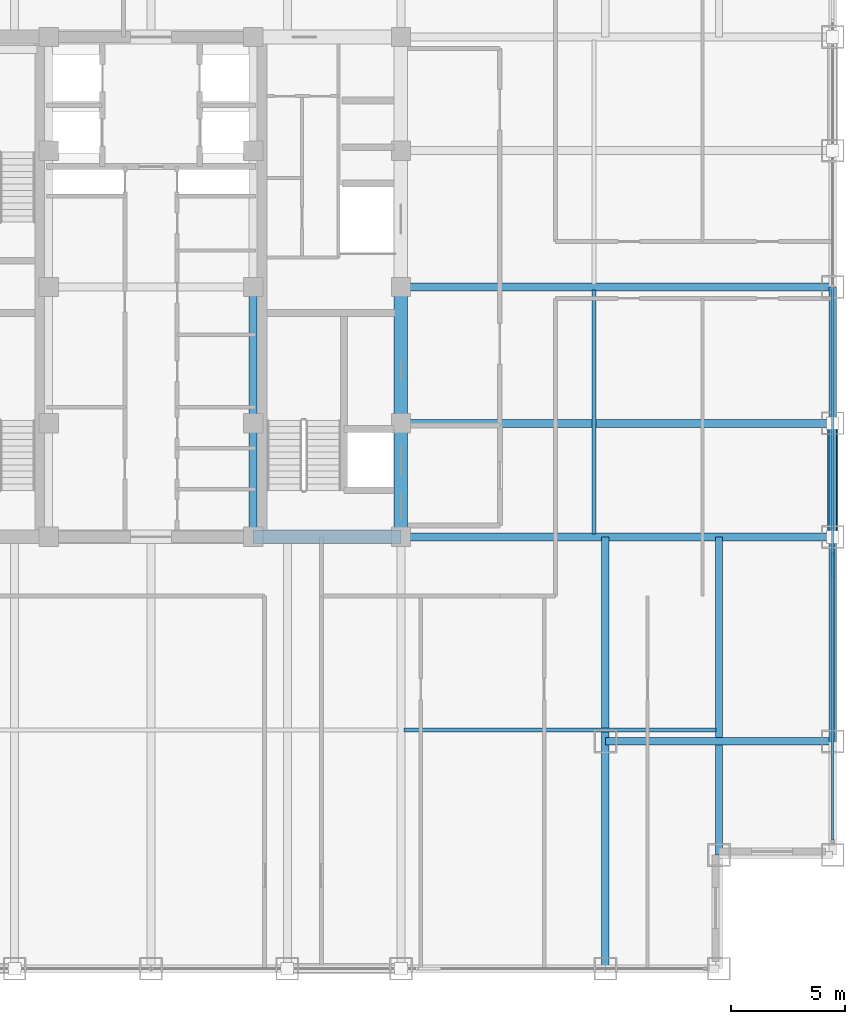
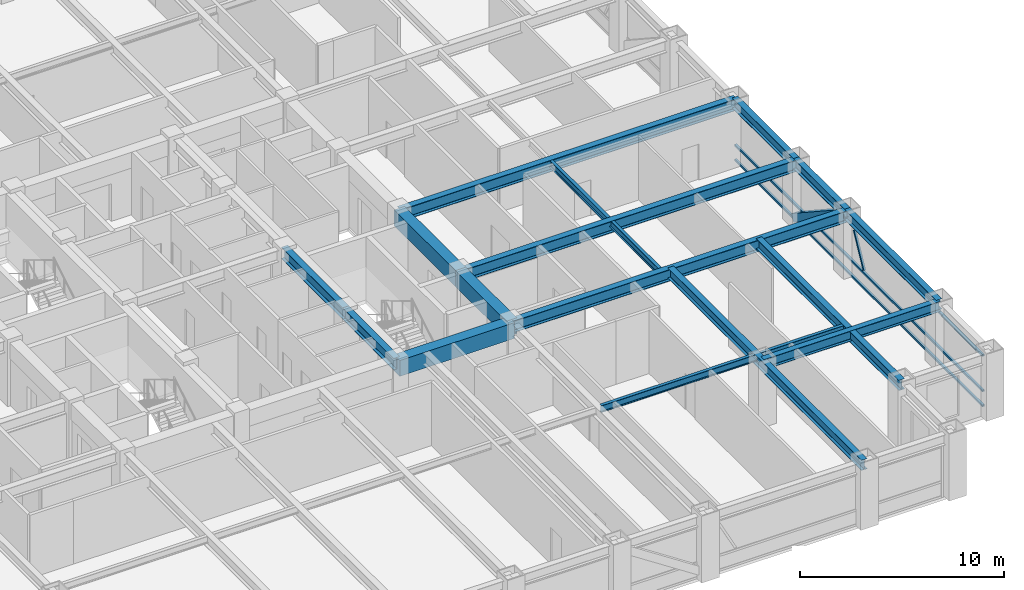
# One storey, part 9 of 25: 16 beams, 5 members, 1 element without a shape of its own.
"""IFC4 building model written with IfcOpenShell, lengths in metres."""

import ifcopenshell
import ifcopenshell.guid

model = None  # the IFC model being written
_history = None  # IfcOwnerHistory: only IFC2X3 demands one
_inside = {}  # id of a spatial element -> (the spatial element, [elements in it])
_under = {}  # id of a project, library or spatial element -> (it, [spatial elements below it])
_declared = {}  # id of a project -> (the project, [libraries it declares])
_typed = {}  # id of a type object -> (the type object, [elements of that type])
_made_of = {}  # id of a material, layer set ... -> (it, [elements and type objects made of it])


def new_model(schema):
    """Start an empty IFC model of exactly this schema.

    Asked for "IFC4X3", IfcOpenShell would pick the latest addendum, in which some entities
    have other attributes; the version numbers below select the first issue.
    IFC2X3 requires an IfcOwnerHistory on every rooted entity: one is made here for all.
    """
    global model, _history
    if schema == "IFC4X3":
        model = ifcopenshell.file(schema_version=(4, 3, 0, 0))
    else:
        model = ifcopenshell.file(schema=schema)
    _inside.clear()
    _under.clear()
    _declared.clear()
    _typed.clear()
    _made_of.clear()
    _history = None
    if model.schema == "IFC2X3":
        org = make("IfcOrganization", Name="unknown")
        user = make(
            "IfcPersonAndOrganization",
            ThePerson=make("IfcPerson", FamilyName="unknown"),
            TheOrganization=org,
        )
        app = make(
            "IfcApplication",
            ApplicationDeveloper=org,
            Version="unknown",
            ApplicationFullName="unknown",
            ApplicationIdentifier="unknown",
        )
        _history = make(
            "IfcOwnerHistory",
            OwningUser=user,
            OwningApplication=app,
            ChangeAction="ADDED",
            CreationDate=0,
        )
    return model


def make(cls, **values):
    """One entity of the class cls with the attributes given. An attribute that is None is left unset."""
    return model.create_entity(
        cls, **{name: value for name, value in values.items() if value is not None}
    )


def rooted(cls, **values):
    """An entity with a GlobalId (a new one), such as an element, a storey or a relation."""
    return make(cls, GlobalId=ifcopenshell.guid.new(), OwnerHistory=_history, **values)


def si_unit(unit_type, name, prefix=None):
    """IfcSIUnit, for example si_unit("LENGTHUNIT", "METRE", prefix="MILLI")."""
    return make("IfcSIUnit", UnitType=unit_type, Prefix=prefix, Name=name)


def assignment(units):
    """IfcUnitAssignment: the units of a project."""
    return None if units is None else make("IfcUnitAssignment", Units=units)


def point(xyz):
    """IfcCartesianPoint."""
    return None if xyz is None else make("IfcCartesianPoint", Coordinates=xyz)


def direction(xyz):
    """IfcDirection."""
    return None if xyz is None else make("IfcDirection", DirectionRatios=xyz)


def frame(location, z_axis=None, x_axis=None):
    """IfcAxis2Placement3D, a coordinate frame: its origin and axes. An axis left out is left unset."""
    return make(
        "IfcAxis2Placement3D",
        Location=point(location),
        Axis=direction(z_axis),
        RefDirection=direction(x_axis),
    )


def frame_2d(location, x_axis=None):
    """IfcAxis2Placement2D, a coordinate frame in the plane: its origin and x axis."""
    return make(
        "IfcAxis2Placement2D", Location=point(location), RefDirection=direction(x_axis)
    )


def origin():
    """The frame at (0, 0, 0) with its axes left unset."""
    return frame((0.0, 0.0, 0.0))


def origin_2d():
    """The frame at (0, 0) in the plane with its x axis left unset."""
    return frame_2d((0.0, 0.0))


def place(relative_to, where):
    """IfcLocalPlacement: puts the frame where relative to a parent placement (None: the world)."""
    return make(
        "IfcLocalPlacement", PlacementRelTo=relative_to, RelativePlacement=where
    )


def context(
    kind, dimensions, precision=None, world=None, true_north=None, identifier=None
):
    """IfcGeometricRepresentationContext, for example the 3D "Model" context."""
    return make(
        "IfcGeometricRepresentationContext",
        ContextIdentifier=identifier,
        ContextType=kind,
        CoordinateSpaceDimension=dimensions,
        Precision=precision,
        WorldCoordinateSystem=world,
        TrueNorth=true_north,
    )


def subcontext(parent, identifier, kind, view, scale=None):
    """IfcGeometricRepresentationSubContext, for example "Body" below "Model"."""
    return make(
        "IfcGeometricRepresentationSubContext",
        ContextIdentifier=identifier,
        ContextType=kind,
        ParentContext=parent,
        TargetScale=scale,
        TargetView=view,
    )


def project(units=None, contexts=None):
    """IfcProject with its units and contexts."""
    return rooted(
        "IfcProject",
        Name="project",
        RepresentationContexts=contexts,
        UnitsInContext=assignment(units),
    )


def spatial(cls, under=None, at=None, **own):
    """A site, building, storey or space (cls), placed at a placement, below another one or the project."""
    s = rooted(cls, ObjectPlacement=at, **own)
    if under is not None:
        _under.setdefault(under.id(), (under, []))[1].append(s)
    return s


def profile(cls, at=None, kind="AREA", **sizes):
    """A parametric profile (cls). Its sizes go by their IFC names, for example OverallWidth=200.0."""
    return make(cls, ProfileType=kind, Position=at, **sizes)


def rectangle(**sizes):
    """IfcRectangleProfileDef."""
    return profile("IfcRectangleProfileDef", **sizes)


def hollow_rectangle(**sizes):
    """IfcRectangleHollowProfileDef."""
    return profile("IfcRectangleHollowProfileDef", **sizes)


def i_section(**sizes):
    """IfcIShapeProfileDef."""
    return profile("IfcIShapeProfileDef", **sizes)


def extrude(swept, where, along, depth):
    """IfcExtrudedAreaSolid: the profile swept, set in the frame where, extruded along a direction by depth."""
    return make(
        "IfcExtrudedAreaSolid",
        SweptArea=swept,
        Position=where,
        ExtrudedDirection=direction(along),
        Depth=depth,
    )


def shape(context_of_items, identifier, shape_type, items):
    """IfcShapeRepresentation: the items that make up one representation, for example the "Body"."""
    return make(
        "IfcShapeRepresentation",
        ContextOfItems=context_of_items,
        RepresentationIdentifier=identifier,
        RepresentationType=shape_type,
        Items=items,
    )


def source(mapping_origin, context_of_items, identifier, shape_type, items):
    """IfcRepresentationMap: a shape defined once, which mapped items show again and again."""
    return make(
        "IfcRepresentationMap",
        MappingOrigin=mapping_origin,
        MappedRepresentation=shape(context_of_items, identifier, shape_type, items),
    )


def transform(
    local_origin,
    x_axis=None,
    y_axis=None,
    z_axis=None,
    scale=None,
    scale2=None,
    scale3=None,
    uniform=True,
):
    """IfcCartesianTransformationOperator3D, or its non-uniform kind. x_axis, y_axis, z_axis: its Axis1, 2, 3."""
    if uniform:
        return make(
            "IfcCartesianTransformationOperator3D",
            Axis1=direction(x_axis),
            Axis2=direction(y_axis),
            LocalOrigin=point(local_origin),
            Scale=scale,
            Axis3=direction(z_axis),
        )
    return make(
        "IfcCartesianTransformationOperator3DnonUniform",
        Axis1=direction(x_axis),
        Axis2=direction(y_axis),
        LocalOrigin=point(local_origin),
        Scale=scale,
        Axis3=direction(z_axis),
        Scale2=scale2,
        Scale3=scale3,
    )


def mapped(mapping_source, mapping_target):
    """IfcMappedItem: shows the shape of a source again, moved by a transform."""
    return make(
        "IfcMappedItem", MappingSource=mapping_source, MappingTarget=mapping_target
    )


def material(Name=None, Category=None):
    """IfcMaterial."""
    return make("IfcMaterial", Name=Name, Category=Category)


def material_profile(
    of_material, cross_section, Name=None, Category=None, Priority=None
):
    """IfcMaterialProfile: a cross section and its material."""
    return make(
        "IfcMaterialProfile",
        Name=Name,
        Material=of_material,
        Profile=cross_section,
        Priority=Priority,
        Category=Category,
    )


def profile_set(profiles, Name=None, composite=None):
    """IfcMaterialProfileSet."""
    return make(
        "IfcMaterialProfileSet",
        Name=Name,
        MaterialProfiles=profiles,
        CompositeProfile=composite,
    )


def made_of(thing, what):
    """Note that an element or type object is made of a material, layer set ...; save() writes the relation."""
    if what is not None:
        _made_of.setdefault(what.id(), (what, []))[1].append(thing)
    return thing


def type_object(cls, material=None, **own):
    """A type object (cls), such as IfcWallType, which elements share."""
    return made_of(rooted(cls, **own), material)


def element(
    cls,
    number,
    at=None,
    inside=None,
    cuts=None,
    type_object=None,
    material=None,
    context=None,
    identifier="Body",
    shape_type=None,
    held_by="IfcProductDefinitionShape",
    body=None,
    shapes=None,
    **own,
):
    """One element of the class cls, such as IfcWall. Its Tag is "e" and its number.

    at: its placement. inside: the storey or other place that contains it. cuts: it is an
    opening in that element (IfcRelVoidsElement). A single representation is given by context,
    identifier, shape_type and body (its items); several are given by shapes. held_by: the class
    of the entity that holds the representations. save() writes the other relations.
    """
    e = rooted(cls, Tag="e%d" % number, ObjectPlacement=at, **own)
    if body is not None:
        shapes = [shape(context, identifier, shape_type, body)]
    if shapes is not None:
        e.Representation = make(held_by, Representations=shapes)
    if inside is not None:
        _inside.setdefault(inside.id(), (inside, []))[1].append(e)
    if cuts is not None:
        rooted(
            "IfcRelVoidsElement", RelatingBuildingElement=cuts, RelatedOpeningElement=e
        )
    if type_object is not None:
        _typed.setdefault(type_object.id(), (type_object, []))[1].append(e)
    return made_of(e, material)


def aggregate(whole, parts):
    """IfcRelAggregates: a whole, such as a stair, and the parts it consists of."""
    return rooted("IfcRelAggregates", RelatingObject=whole, RelatedObjects=parts)


def save(model, path):
    """Write the relations noted so far, then the file.

    IfcRelAggregates (storeys below a building ...), IfcRelContainedInSpatialStructure (elements
    in a storey), IfcRelDefinesByType, IfcRelAssociatesMaterial and IfcRelDeclares: one each for
    every whole, place, type object, material and project.
    """
    for whole, parts in _under.values():
        aggregate(whole, parts)
    for where, things in _inside.values():
        rooted(
            "IfcRelContainedInSpatialStructure",
            RelatedElements=things,
            RelatingStructure=where,
        )
    for kind, things in _typed.values():
        rooted("IfcRelDefinesByType", RelatedObjects=things, RelatingType=kind)
    for what, things in _made_of.values():
        rooted("IfcRelAssociatesMaterial", RelatedObjects=things, RelatingMaterial=what)
    for by, libraries in _declared.values():
        rooted("IfcRelDeclares", RelatingContext=by, RelatedDefinitions=libraries)
    model.write(path)


model = new_model("IFC4")

# Units and contexts
model_context = context("Model", 3, precision=1e-05, world=origin(), true_north=direction((0.0, 1.0)))
body_context = subcontext(model_context, "Body", "Model", "MODEL_VIEW")
ifc_project = project(units=[si_unit("LENGTHUNIT", "METRE"), si_unit("AREAUNIT", "SQUARE_METRE"), si_unit("VOLUMEUNIT", "CUBIC_METRE"), si_unit("PLANEANGLEUNIT", "RADIAN"), si_unit("MASSUNIT", "GRAM", prefix="KILO")], contexts=[model_context])

# Site, building, storey
site_placement = place(None, origin())
site = spatial("IfcSite", under=ifc_project, at=site_placement, CompositionType="ELEMENT")
building_placement = place(site_placement, origin())
building = spatial("IfcBuilding", under=site, at=building_placement, Name="Khorayat Bourse Tower", CompositionType="ELEMENT")
storey_placement = place(building_placement, frame((0.0, 0.0, 223.10009765625)))
storey = spatial("IfcBuildingStorey", under=building, at=storey_placement, Name="L52", CompositionType="ELEMENT", Elevation=223.10009765625)

# Beams
ifc_material_1 = material(Name="Steel ASTM A992 Grade 50", Category="steel")
ifc_material_profile_1 = material_profile(ifc_material_1, i_section(OverallWidth=0.35498046875, OverallDepth=0.695068359375, WebThickness=0.015380859375, FlangeThickness=0.02490234375, FilletRadius=0.01806640625, at=origin_2d()), Name="W690X217")
ifc_profile_set_1 = profile_set([ifc_material_profile_1], Name="Steel ASTM A992 Grade 50")
beam_type_1 = type_object("IfcBeamType", Name="BM-GIRD-690", PredefinedType="BEAM", material=ifc_profile_set_1)
shared_shape_1 = source(origin(), body_context, "Body", "SweptSolid", [
    extrude(i_section(OverallWidth=0.35498046875, OverallDepth=0.695068359375, WebThickness=0.015380859375, FlangeThickness=0.02490234375, FilletRadius=0.01806640625, at=origin_2d()), origin(), (0.0, 0.0, 1.0), 5.0),
])
beam_1_placement = place(storey_placement, frame((4.5, -11.0, 3.432373046875), z_axis=(0.0, 1.0, 0.0), x_axis=(-1.0, 0.0, 0.0)))
element("IfcBeam", 1, at=beam_1_placement, inside=storey, type_object=beam_type_1, Name="L52 BM-GIRD-690 BM-L52-CRX-09", PredefinedType="BEAM", context=body_context, shape_type="MappedRepresentation", body=[
    mapped(shared_shape_1, transform((0.0, 0.0, 0.0), scale=1.0)),
])
shared_shape_2 = source(origin(), body_context, "Body", "SweptSolid", [
    extrude(i_section(OverallWidth=0.35498046875, OverallDepth=0.695068359375, WebThickness=0.015380859375, FlangeThickness=0.02490234375, FilletRadius=0.01806640625, at=origin_2d()), origin(), (0.0, 0.0, 1.0), 6.0),
])
beam_2_placement = place(storey_placement, frame((4.5, -6.0, 3.432373046875), z_axis=(0.0, 1.0, 0.0), x_axis=(-1.0, 0.0, 0.0)))
element("IfcBeam", 2, at=beam_2_placement, inside=storey, type_object=beam_type_1, Name="L52 BM-GIRD-690 BM-L52-CRX-10", PredefinedType="BEAM", context=body_context, shape_type="MappedRepresentation", body=[
    mapped(shared_shape_2, transform((0.0, 0.0, 0.0), scale=1.0)),
])
ifc_material_profile_2 = material_profile(ifc_material_1, i_section(OverallWidth=0.324951171875, OverallDepth=0.615966796875, WebThickness=0.013916015625, FlangeThickness=0.021484375, FilletRadius=0.01611328125, at=origin_2d()), Name="W610X174")
ifc_profile_set_2 = profile_set([ifc_material_profile_2], Name="Steel ASTM A992 Grade 50")
beam_type_2 = type_object("IfcBeamType", Name="BM-GIRD-610", PredefinedType="BEAM", material=ifc_profile_set_2)
shared_shape_3 = source(origin(), body_context, "Body", "SweptSolid", [
    extrude(i_section(OverallWidth=0.324951171875, OverallDepth=0.615966796875, WebThickness=0.013916015625, FlangeThickness=0.021484375, FilletRadius=0.01611328125, at=origin_2d()), origin(), (0.0, 0.0, 1.0), 19.0),
])
beam_3_placement = place(storey_placement, frame((20.0, -30.0, 3.471923828125), z_axis=(0.0, 1.0, 0.0), x_axis=(-1.0, 0.0, 0.0)))
element("IfcBeam", 3, at=beam_3_placement, inside=storey, type_object=beam_type_2, Name="L52 BM-GIRD-610 BM-L52-CNRY-086", PredefinedType="BEAM", context=body_context, shape_type="MappedRepresentation", body=[
    mapped(shared_shape_3, transform((0.0, 0.0, 0.0), scale=1.0)),
])
shared_shape_4 = source(origin(), body_context, "Body", "SweptSolid", [
    extrude(i_section(OverallWidth=0.324951171875, OverallDepth=0.615966796875, WebThickness=0.013916015625, FlangeThickness=0.021484375, FilletRadius=0.01611328125, at=origin_2d()), origin(), (0.0, 0.0, 1.0), 10.0),
])
beam_4_placement = place(storey_placement, frame((20.0, -20.0, 3.471923828125), z_axis=(1.0, 0.0, 0.0), x_axis=(0.0, 1.0, 0.0)))
element("IfcBeam", 4, at=beam_4_placement, inside=storey, type_object=beam_type_2, Name="L52 BM-GIRD-610 BM-L52-CNRX-092", PredefinedType="BEAM", context=body_context, shape_type="MappedRepresentation", body=[
    mapped(shared_shape_4, transform((0.0, 0.0, 0.0), scale=1.0)),
])
ifc_material_profile_3 = material_profile(ifc_material_1, i_section(OverallWidth=0.180908203125, OverallDepth=0.4169921875, WebThickness=0.010986328125, FlangeThickness=0.018310546875, FilletRadius=0.011962890625, at=origin_2d()), Name="W410X85")
ifc_profile_set_3 = profile_set([ifc_material_profile_3], Name="Steel ASTM A992 Grade 50")
beam_type_3 = type_object("IfcBeamType", Name="BM-JOIST-410", PredefinedType="JOIST", material=ifc_profile_set_3)
shared_shape_5 = source(origin(), body_context, "Body", "SweptSolid", [
    extrude(i_section(OverallWidth=0.180908203125, OverallDepth=0.4169921875, WebThickness=0.010986328125, FlangeThickness=0.018310546875, FilletRadius=0.011962890625, at=origin_2d()), origin(), (0.0, 0.0, 1.0), 10.740234375),
])
beam_5_placement = place(storey_placement, frame((19.5, -10.8701171875, 3.5712890625), z_axis=(0.0, 1.0, 0.0), x_axis=(-1.0, 0.0, 0.0)))
element("IfcBeam", 5, at=beam_5_placement, inside=storey, type_object=beam_type_3, Name="L52 BM-JOIST-410 BM-L52-JSTY-104", PredefinedType="JOIST", context=body_context, shape_type="MappedRepresentation", body=[
    mapped(shared_shape_5, transform((0.0, 0.0, 0.0), scale=1.0)),
])
ifc_material_profile_4 = material_profile(ifc_material_1, i_section(OverallWidth=0.324951171875, OverallDepth=0.615966796875, WebThickness=0.013916015625, FlangeThickness=0.021484375, FilletRadius=0.01611328125, at=origin_2d()), Name="W610X174")
ifc_profile_set_4 = profile_set([ifc_material_profile_4], Name="Steel ASTM A992 Grade 50")
beam_type_4 = type_object("IfcBeamType", Name="BM-SPAN-610", PredefinedType="SPANDREL", material=ifc_profile_set_4)
shared_shape_6 = source(origin(), body_context, "Body", "SweptSolid", [
    extrude(i_section(OverallWidth=0.324951171875, OverallDepth=0.615966796875, WebThickness=0.013916015625, FlangeThickness=0.021484375, FilletRadius=0.01611328125, at=origin_2d()), origin(), (0.0, 0.0, 1.0), 9.0),
])
beam_6_placement = place(storey_placement, frame((30.0, -20.0, 3.471923828125), z_axis=(0.0, 1.0, 0.0), x_axis=(-1.0, 0.0, 0.0)))
element("IfcBeam", 6, at=beam_6_placement, inside=storey, type_object=beam_type_4, Name="L52 BM-SPAN-610 BM-L52-SPN-035", PredefinedType="SPANDREL", context=body_context, shape_type="MappedRepresentation", body=[
    mapped(shared_shape_6, transform((0.0, 0.0, 0.0), scale=1.0)),
])
shared_shape_7 = source(origin(), body_context, "Body", "SweptSolid", [
    extrude(i_section(OverallWidth=0.324951171875, OverallDepth=0.615966796875, WebThickness=0.013916015625, FlangeThickness=0.021484375, FilletRadius=0.01611328125, at=origin_2d()), origin(), (0.0, 0.0, 1.0), 5.0),
])
beam_7_placement = place(storey_placement, frame((30.0, -11.0, 3.471923828125), z_axis=(0.0, 1.0, 0.0), x_axis=(-1.0, 0.0, 0.0)))
element("IfcBeam", 7, at=beam_7_placement, inside=storey, type_object=beam_type_4, Name="L52 BM-SPAN-610 BM-L52-SPN-036", PredefinedType="SPANDREL", context=body_context, shape_type="MappedRepresentation", body=[
    mapped(shared_shape_7, transform((0.0, 0.0, 0.0), scale=1.0)),
])
shared_shape_8 = source(origin(), body_context, "Body", "SweptSolid", [
    extrude(i_section(OverallWidth=0.324951171875, OverallDepth=0.615966796875, WebThickness=0.013916015625, FlangeThickness=0.021484375, FilletRadius=0.01611328125, at=origin_2d()), origin(), (0.0, 0.0, 1.0), 6.0),
])
beam_8_placement = place(storey_placement, frame((30.0, -6.0, 3.471923828125), z_axis=(0.0, 1.0, 0.0), x_axis=(-1.0, 0.0, 0.0)))
element("IfcBeam", 8, at=beam_8_placement, inside=storey, type_object=beam_type_4, Name="L52 BM-SPAN-610 BM-L52-SPN-037", PredefinedType="SPANDREL", context=body_context, shape_type="MappedRepresentation", body=[
    mapped(shared_shape_8, transform((0.0, 0.0, 0.0), scale=1.0)),
])
ifc_material_2 = material(Name="Concrete C60/75", Category="concrete")
ifc_material_profile_5 = material_profile(ifc_material_2, rectangle(XDim=0.60009765625, YDim=0.949951171875, at=origin_2d()), Name="RC 600x950")
ifc_profile_set_5 = profile_set([ifc_material_profile_5], Name="Concrete C60/75")
beam_type_5 = type_object("IfcBeamType", Name="BM-COUP-950", PredefinedType="BEAM", material=ifc_profile_set_5)
shared_shape_9 = source(origin(), body_context, "Body", "SweptSolid", [
    extrude(rectangle(XDim=0.60009765625, YDim=0.949951171875, at=origin_2d()), origin(), (0.0, 0.0, 1.0), 5.0),
])
beam_9_placement = place(storey_placement, frame((11.0, -11.0, 3.304931640625), z_axis=(0.0, 1.0, 0.0), x_axis=(-1.0, 0.0, 0.0)))
element("IfcBeam", 9, at=beam_9_placement, inside=storey, type_object=beam_type_5, Name="L52 BM-COUP-950 BM-L52-CRX-13", PredefinedType="BEAM", context=body_context, shape_type="MappedRepresentation", body=[
    mapped(shared_shape_9, transform((0.0, 0.0, 0.0), scale=1.0)),
])
shared_shape_10 = source(origin(), body_context, "Body", "SweptSolid", [
    extrude(rectangle(XDim=0.60009765625, YDim=0.949951171875, at=origin_2d()), origin(), (0.0, 0.0, 1.0), 6.0),
])
beam_10_placement = place(storey_placement, frame((11.0, -6.0, 3.304931640625), z_axis=(0.0, 1.0, 0.0), x_axis=(-1.0, 0.0, 0.0)))
element("IfcBeam", 10, at=beam_10_placement, inside=storey, type_object=beam_type_5, Name="L52 BM-COUP-950 BM-L52-CRX-14", PredefinedType="BEAM", context=body_context, shape_type="MappedRepresentation", body=[
    mapped(shared_shape_10, transform((0.0, 0.0, 0.0), scale=1.0)),
])
shared_shape_11 = source(origin(), body_context, "Body", "SweptSolid", [
    extrude(rectangle(XDim=0.60009765625, YDim=0.949951171875, at=origin_2d()), origin(), (0.0, 0.0, 1.0), 6.5),
])
beam_11_placement = place(storey_placement, frame((4.5, -11.0, 3.304931640625), z_axis=(1.0, 0.0, 0.0), x_axis=(0.0, 1.0, 0.0)))
element("IfcBeam", 11, at=beam_11_placement, inside=storey, type_object=beam_type_5, Name="L52 BM-COUP-950 BM-L52-CRY-19", PredefinedType="BEAM", context=body_context, shape_type="MappedRepresentation", body=[
    mapped(shared_shape_11, transform((0.0, 0.0, 0.0), scale=1.0)),
])
shared_shape_12 = source(origin(), body_context, "Body", "SweptSolid", [
    extrude(i_section(OverallWidth=0.35498046875, OverallDepth=0.695068359375, WebThickness=0.015380859375, FlangeThickness=0.02490234375, FilletRadius=0.01806640625, at=origin_2d()), origin(), (0.0, 0.0, 1.0), 19.0),
])
for number, where, z_axis, x_axis, name in (
    (12, (11.0, -11.0, 3.432373046875), (1.0, 0.0, 0.0), (0.0, 1.0, 0.0), "L52 BM-GIRD-690 BM-L52-RADX-074"),
    (13, (11.0, -6.0, 3.432373046875), (1.0, 0.0, 0.0), (0.0, 1.0, 0.0), "L52 BM-GIRD-690 BM-L52-RADX-076"),
    (14, (11.0, 0.0, 3.432373046875), (1.0, 0.0, 0.0), (0.0, 1.0, 0.0), "L52 BM-GIRD-690 BM-L52-RADX-078"),
):
    element("IfcBeam", number, at=place(storey_placement, frame(where, z_axis=z_axis, x_axis=x_axis)), inside=storey, type_object=beam_type_1, Name=name, PredefinedType="BEAM", context=body_context, shape_type="MappedRepresentation", body=[
        mapped(shared_shape_12, transform((0.0, 0.0, 0.0), scale=1.0)),
    ])
shared_shape_13 = source(origin(), body_context, "Body", "SweptSolid", [
    extrude(i_section(OverallWidth=0.324951171875, OverallDepth=0.615966796875, WebThickness=0.013916015625, FlangeThickness=0.021484375, FilletRadius=0.01611328125, at=origin_2d()), origin(), (0.0, 0.0, 1.0), 14.0),
])
beam_12_placement = place(storey_placement, frame((25.0, -25.0, 3.471923828125), z_axis=(0.0, 1.0, 0.0), x_axis=(-1.0, 0.0, 0.0)))
element("IfcBeam", 15, at=beam_12_placement, inside=storey, type_object=beam_type_2, Name="L52 BM-GIRD-610 BM-L52-CNRY-090", PredefinedType="BEAM", context=body_context, shape_type="MappedRepresentation", body=[
    mapped(shared_shape_13, transform((0.0, 0.0, 0.0), scale=1.0)),
])
shared_shape_14 = source(origin(), body_context, "Body", "SweptSolid", [
    extrude(i_section(OverallWidth=0.180908203125, OverallDepth=0.4169921875, WebThickness=0.010986328125, FlangeThickness=0.018310546875, FilletRadius=0.011962890625, at=origin_2d()), origin(), (0.0, 0.0, 1.0), 13.740234375),
])
beam_13_placement = place(storey_placement, frame((11.1298828125, -19.5, 3.5712890625), z_axis=(1.0, 0.0, 0.0), x_axis=(0.0, 1.0, 0.0)))
element("IfcBeam", 16, at=beam_13_placement, inside=storey, type_object=beam_type_3, Name="L52 BM-JOIST-410 BM-L52-JSTX-098", PredefinedType="JOIST", context=body_context, shape_type="MappedRepresentation", body=[
    mapped(shared_shape_14, transform((0.0, 0.0, 0.0), scale=1.0)),
])

# Member
ifc_material_3 = material(Name="Steel EN 10025-4 S460M", Category="steel")
ifc_material_profile_6 = material_profile(ifc_material_3, hollow_rectangle(XDim=0.449951171875, YDim=0.449951171875, WallThickness=0.02490234375, at=origin_2d()), Name="HSS 450x450x25")
ifc_profile_set_6 = profile_set([ifc_material_profile_6], Name="Steel EN 10025-4 S460M")
member_type_1 = type_object("IfcMemberType", Name="MBR-TUBE-450", PredefinedType="BRACE", material=ifc_profile_set_6)
shared_shape_15 = source(origin(), body_context, "Body", "SweptSolid", [
    extrude(hollow_rectangle(XDim=0.449951171875, YDim=0.449951171875, WallThickness=0.02490234375, at=origin_2d()), origin(), (0.0, 0.0, 1.0), 5.979736328125),
])
member_1_placement = place(storey_placement, frame((30.0, -11.0, 3.52978515625), z_axis=(0.0, 0.836160261256, -0.548485202623), x_axis=(-1.0, 0.0, 0.0)))
element("IfcMember", 17, at=member_1_placement, inside=storey, type_object=member_type_1, Name="L52 Perimeter Tube Brace 07", PredefinedType="BRACE", context=body_context, shape_type="MappedRepresentation", body=[
    mapped(shared_shape_15, transform((0.0, 0.0, 0.0), scale=1.0)),
])

# Curtain wall, members
ifc_material_4 = material(Name="Aluminium EN AW-6063 T6", Category="aluminium")
curtain_wall_type = type_object("IfcCurtainWallType", Name="CW-SYS-03", PredefinedType="NOTDEFINED", material=ifc_material_4)
curtain_wall_placement = place(storey_placement, origin())
curtain_wall = element("IfcCurtainWall", 18, at=curtain_wall_placement, inside=storey, type_object=curtain_wall_type, Name="L52 Curtain Wall CW-L52-E1", PredefinedType="NOTDEFINED")
ifc_material_profile_7 = material_profile(ifc_material_4, hollow_rectangle(XDim=0.1201171875, YDim=0.1201171875, WallThickness=0.0048828125, at=origin_2d()), Name="ALU 120x120x5")
ifc_profile_set_7 = profile_set([ifc_material_profile_7], Name="Aluminium EN AW-6063 T6")
member_type_2 = type_object("IfcMemberType", Name="CWM-DIAG-120", PredefinedType="MULLION", material=ifc_profile_set_7)
shared_shape_16 = source(origin(), body_context, "Body", "SweptSolid", [
    extrude(hollow_rectangle(XDim=0.1201171875, YDim=0.1201171875, WallThickness=0.0048828125, at=origin_2d()), origin(), (0.0, 0.0, 1.0), 2.079345703125),
])
member_2_placement = place(storey_placement, frame((30.0, -12.67919921875, 1.08984375), z_axis=(0.0, 0.465760949701, 0.884910581773), x_axis=(-1.0, 0.0, 0.0)))
member_2 = element("IfcMember", 19, at=member_2_placement, type_object=member_type_2, Name="CW-L52-E1 Faceted Diagonal Mullion 1", PredefinedType="MULLION", context=body_context, shape_type="MappedRepresentation", body=[
    mapped(shared_shape_16, transform((0.0, 0.0, 0.0), scale=1.0)),
])
ifc_material_profile_8 = material_profile(ifc_material_4, hollow_rectangle(XDim=0.1201171875, YDim=0.1201171875, WallThickness=0.0048828125, at=origin_2d()), Name="ALU 120x120x5")
ifc_profile_set_8 = profile_set([ifc_material_profile_8], Name="Aluminium EN AW-6063 T6")
member_type_3 = type_object("IfcMemberType", Name="CWT-HORZ-120", PredefinedType="USERDEFINED", material=ifc_profile_set_8)
shared_shape_17 = source(origin(), body_context, "Body", "SweptSolid", [
    extrude(hollow_rectangle(XDim=0.1201171875, YDim=0.1201171875, WallThickness=0.0048828125, at=origin_2d()), origin(), (0.0, 0.0, 1.0), 24.27001953125),
])
member_3_placement = place(storey_placement, frame((30.0, -24.330078125, 0.059814453125), z_axis=(0.0, 1.0, 0.0), x_axis=(-1.0, 0.0, 0.0)))
member_3 = element("IfcMember", 20, at=member_3_placement, type_object=member_type_3, Name="CW-L52-E1 Horizontal Transom 1-1", ObjectType="TRANSOM", PredefinedType="USERDEFINED", context=body_context, shape_type="MappedRepresentation", body=[
    mapped(shared_shape_17, transform((0.0, 0.0, 0.0), scale=1.0)),
])
member_4_placement = place(storey_placement, frame((30.0, -24.330078125, 0.949951171875), z_axis=(0.0, 1.0, 0.0), x_axis=(-1.0, 0.0, 0.0)))
member_4 = element("IfcMember", 21, at=member_4_placement, type_object=member_type_3, Name="CW-L52-E1 Horizontal Transom 1-2", ObjectType="TRANSOM", PredefinedType="USERDEFINED", context=body_context, shape_type="MappedRepresentation", body=[
    mapped(shared_shape_17, transform((0.0, 0.0, 0.0), scale=1.0)),
])
member_5_placement = place(storey_placement, frame((30.0, -24.330078125, 3.06982421875), z_axis=(0.0, 1.0, 0.0), x_axis=(-1.0, 0.0, 0.0)))
member_5 = element("IfcMember", 22, at=member_5_placement, type_object=member_type_3, Name="CW-L52-E1 Horizontal Transom 1-3", ObjectType="TRANSOM", PredefinedType="USERDEFINED", context=body_context, shape_type="MappedRepresentation", body=[
    mapped(shared_shape_17, transform((0.0, 0.0, 0.0), scale=1.0)),
])
aggregate(curtain_wall, [member_3, member_4, member_5, member_2])

save(model, "model.ifc")
